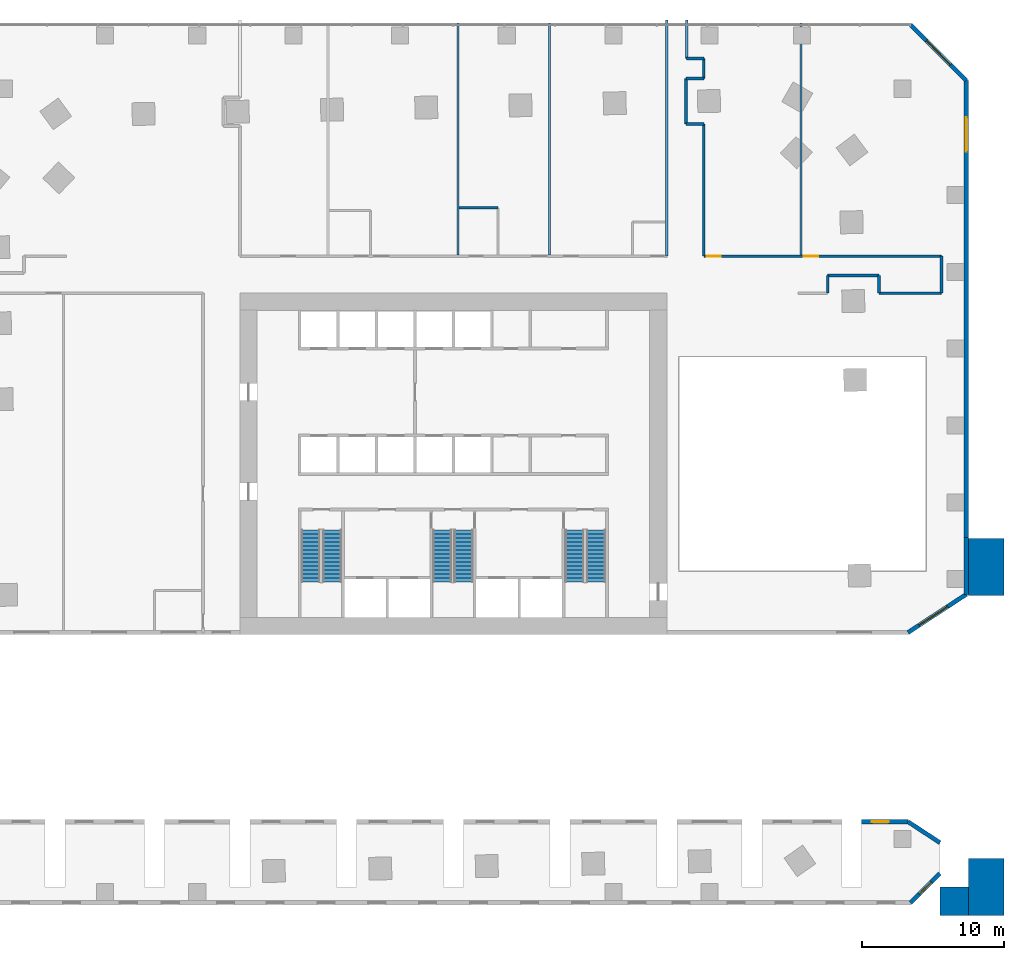
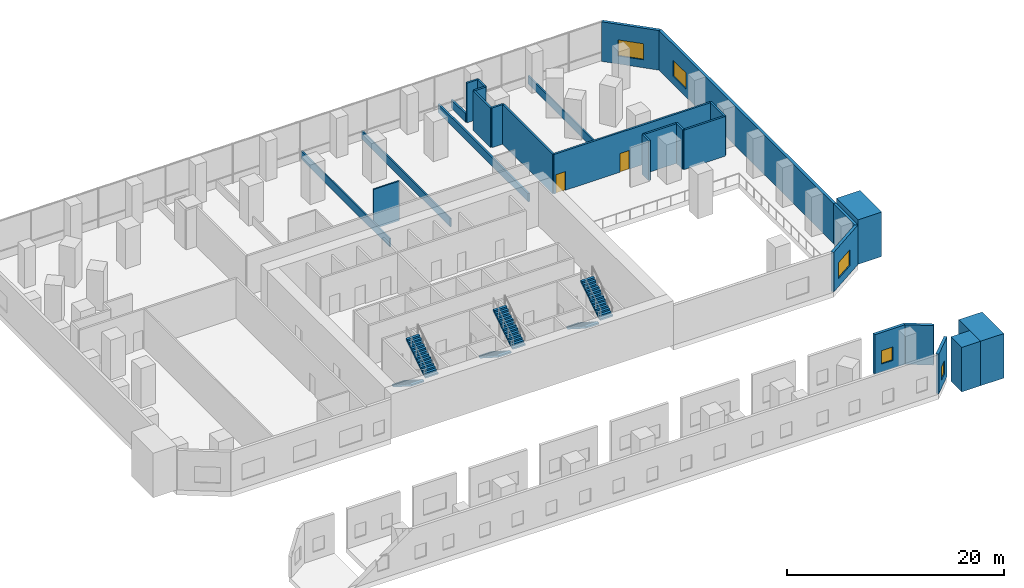
# One storey, part 9 of 11: 28 walls, 6 stair flights, 5 windows, 2 doors, 7 openings, 3 elements without a shape of their own.
"""IFC4 building model written with IfcOpenShell, lengths in metres."""

from ifc_helpers import new_model, si_unit, direction, frame, frame_2d, origin, place, context, subcontext, project, spatial, polyline, rectangle, outline, extrude, material, layer, layer_set, type_object, element, fill, aggregate, save


model = new_model("IFC4")

# Units and contexts
model_context = context("Model", 3, precision=1e-05, world=origin(), true_north=direction((0.0, 1.0)))
body_context = subcontext(model_context, "Body", "Model", "MODEL_VIEW")
ifc_project = project(units=[si_unit("LENGTHUNIT", "METRE"), si_unit("AREAUNIT", "SQUARE_METRE"), si_unit("VOLUMEUNIT", "CUBIC_METRE"), si_unit("PLANEANGLEUNIT", "RADIAN"), si_unit("MASSUNIT", "GRAM", prefix="KILO")], contexts=[model_context])

# Site, building, storey
site_placement = place(None, origin())
site = spatial("IfcSite", under=ifc_project, at=site_placement, CompositionType="ELEMENT")
building_placement = place(site_placement, origin())
building = spatial("IfcBuilding", under=site, at=building_placement, Name="Mangrove Gate Tower", CompositionType="ELEMENT")
storey_placement = place(building_placement, frame((0.0, 0.0, 6.0)))
storey = spatial("IfcBuildingStorey", under=building, at=storey_placement, Name="L01", CompositionType="ELEMENT", Elevation=6.0)

# Walls
ifc_material_1 = material(Name="Gypsum board on steel stud, EI 60", Category="steel")
ifc_layer_1 = layer(ifc_material_1, 0.199951171875)
ifc_layer_set_1 = layer_set([ifc_layer_1], Name="Corridor wall EI 60")
wall_type_1 = type_object("IfcWallType", Name="Corridor wall EI 60", PredefinedType="PARTITIONING", material=ifc_layer_set_1)
wall_1_placement = place(storey_placement, frame((26.31005859375, 12.0, 0.0), z_axis=(0.0, 0.0, 1.0), x_axis=(0.0, 1.0, 0.0)))
element("IfcWall", 1, at=wall_1_placement, inside=storey, type_object=wall_type_1, Name="WALL-L01-008", PredefinedType="PARTITIONING", context=body_context, shape_type="SweptSolid", body=[
    extrude(rectangle(XDim=1.243896484375, YDim=0.199951171875, at=frame_2d((0.6220703125, 0.0))), origin(), (0.0, 0.0, 1.0), 4.449951171875),
])
wall_2_placement = place(storey_placement, frame((29.909912109375, 12.0, 0.0), z_axis=(0.0, 0.0, 1.0), x_axis=(1.0, 0.0, 0.0)))
element("IfcWall", 2, at=wall_2_placement, inside=storey, type_object=wall_type_1, Name="WALL-L01-009", PredefinedType="PARTITIONING", context=body_context, shape_type="SweptSolid", body=[
    extrude(rectangle(XDim=4.39013671875, YDim=0.199951171875, at=frame_2d((2.195068359375, 0.0))), origin(), (0.0, 0.0, 1.0), 4.449951171875),
])
wall_3_placement = place(storey_placement, frame((29.909912109375, 12.0, 0.0), z_axis=(0.0, 0.0, 1.0), x_axis=(0.0, 1.0, 0.0)))
element("IfcWall", 3, at=wall_3_placement, inside=storey, type_object=wall_type_1, Name="WALL-L01-010", PredefinedType="PARTITIONING", context=body_context, shape_type="SweptSolid", body=[
    extrude(rectangle(XDim=1.243896484375, YDim=0.199951171875, at=frame_2d((0.6220703125, 0.0))), origin(), (0.0, 0.0, 1.0), 4.449951171875),
])
wall_4_placement = place(storey_placement, frame((34.300048828125, 12.0, 0.0), z_axis=(0.0, 0.0, 1.0), x_axis=(0.0, 1.0, 0.0)))
element("IfcWall", 4, at=wall_4_placement, inside=storey, type_object=wall_type_1, Name="WALL-L01-011", PredefinedType="PARTITIONING", context=body_context, shape_type="SweptSolid", body=[
    extrude(rectangle(XDim=2.60009765625, YDim=0.199951171875, at=frame_2d((1.300048828125, 0.0))), origin(), (0.0, 0.0, 1.0), 4.449951171875),
])
wall_5_placement = place(storey_placement, frame((26.31005859375, 13.239990234375, 0.0), z_axis=(0.0, 0.0, 1.0), x_axis=(1.0, 0.0, 0.0)))
element("IfcWall", 5, at=wall_5_placement, inside=storey, type_object=wall_type_1, Name="WALL-L01-012", PredefinedType="PARTITIONING", context=body_context, shape_type="SweptSolid", body=[
    extrude(rectangle(XDim=3.599853515625, YDim=0.199951171875, at=frame_2d((1.7998046875, 0.0))), origin(), (0.0, 0.0, 1.0), 4.449951171875),
])
wall_6_placement = place(storey_placement, frame((15.0, 14.60009765625, 0.0), z_axis=(0.0, 0.0, 1.0), x_axis=(0.0, 1.0, 0.0)))
element("IfcWall", 6, at=wall_6_placement, inside=storey, type_object=wall_type_1, Name="WALL-L01-024", PredefinedType="PARTITIONING", context=body_context, shape_type="SweptSolid", body=[
    extrude(rectangle(XDim=16.599853515625, YDim=0.199951171875, at=frame_2d((8.2998046875, 0.0))), origin(), (0.0, 0.0, 1.0), 0.93994140625),
])

# Wall, openings, doors
wall_7_placement = place(storey_placement, frame((17.60009765625, 14.60009765625, 0.0), z_axis=(0.0, 0.0, 1.0), x_axis=(1.0, 0.0, 0.0)))
wall_7 = element("IfcWall", 7, at=wall_7_placement, inside=storey, type_object=wall_type_1, Name="WALL-L01-025", PredefinedType="PARTITIONING", context=body_context, shape_type="SweptSolid", body=[
    extrude(rectangle(XDim=16.699951171875, YDim=0.199951171875, at=frame_2d((8.35009765625, 0.0))), origin(), (0.0, 0.0, 1.0), 4.449951171875),
])
opening_1_placement = place(wall_7_placement, frame((7.030029296875, 0.0, 0.0)))
opening_1 = element("IfcOpeningElement", 8, at=opening_1_placement, cuts=wall_7, Name="Opening AD", PredefinedType="OPENING", context=body_context, shape_type="SweptSolid", body=[
    extrude(rectangle(XDim=1.0, YDim=2.10009765625, at=frame_2d((0.5, 1.050048828125))), frame((0.0, 0.10986328125, 0.0), z_axis=(0.0, -1.0, 0.0), x_axis=(1.0, 0.0, 0.0)), (0.0, 0.0, 1.0), 0.219970703125),
])
opening_2_placement = place(wall_7_placement, frame((0.199951171875, 0.0, 0.0)))
opening_2 = element("IfcOpeningElement", 9, at=opening_2_placement, cuts=wall_7, Name="Opening AD", PredefinedType="OPENING", context=body_context, shape_type="SweptSolid", body=[
    extrude(rectangle(XDim=1.0, YDim=2.10009765625, at=frame_2d((0.5, 1.050048828125))), frame((0.0, 0.10986328125, 0.0), z_axis=(0.0, -1.0, 0.0), x_axis=(1.0, 0.0, 0.0)), (0.0, 0.0, 1.0), 0.219970703125),
])
ifc_material_2 = material(Name="Timber door leaf", Category="wood")
door_type = type_object("IfcDoorType", Name="Amenity door 1000", OperationType="SINGLE_SWING_LEFT", PredefinedType="DOOR", material=ifc_material_2)
door_1_placement = place(opening_1_placement, origin())
door_1 = element("IfcDoor", 10, at=door_1_placement, inside=storey, type_object=door_type, Name="DOOR-L01-POD-03", OperationType="SINGLE_SWING_LEFT", OverallHeight=2.10009765625, OverallWidth=1.0, PredefinedType="DOOR", context=body_context, shape_type="SweptSolid", body=[
    extrude(rectangle(XDim=1.0, YDim=2.10009765625, at=frame_2d((0.5, 1.050048828125))), frame((0.0, 0.02490234375, 0.0), z_axis=(0.0, -1.0, 0.0), x_axis=(1.0, 0.0, 0.0)), (0.0, 0.0, 1.0), 0.050048828125),
])
fill(opening_1, door_1)
door_2_placement = place(opening_2_placement, origin())
door_2 = element("IfcDoor", 11, at=door_2_placement, inside=storey, type_object=door_type, Name="DOOR-L01-POD-08", OperationType="SINGLE_SWING_RIGHT", OverallHeight=2.10009765625, OverallWidth=1.0, PredefinedType="DOOR", context=body_context, shape_type="SweptSolid", body=[
    extrude(rectangle(XDim=1.0, YDim=2.10009765625, at=frame_2d((0.5, 1.050048828125))), frame((0.0, 0.02490234375, 0.0), z_axis=(0.0, -1.0, 0.0), x_axis=(1.0, 0.0, 0.0)), (0.0, 0.0, 1.0), 0.050048828125),
])
fill(opening_2, door_2)

# Walls
wall_8_placement = place(storey_placement, frame((17.60009765625, 14.60009765625, 0.0), z_axis=(0.0, 0.0, 1.0), x_axis=(0.0, 1.0, 0.0)))
element("IfcWall", 12, at=wall_8_placement, inside=storey, type_object=wall_type_1, Name="WALL-L01-026", PredefinedType="PARTITIONING", context=body_context, shape_type="SweptSolid", body=[
    extrude(rectangle(XDim=9.30078125, YDim=0.199951171875, at=frame_2d((4.650390625, 0.0))), origin(), (0.0, 0.0, 1.0), 4.449951171875),
])
wall_9_placement = place(storey_placement, frame((16.364013671875, 23.89990234375, 0.0), z_axis=(0.0, 0.0, 1.0), x_axis=(1.0, 0.0, 0.0)))
element("IfcWall", 13, at=wall_9_placement, inside=storey, type_object=wall_type_1, Name="WALL-L01-033", PredefinedType="PARTITIONING", context=body_context, shape_type="SweptSolid", body=[
    extrude(rectangle(XDim=1.236083984375, YDim=0.199951171875, at=frame_2d((0.6181640625, 0.0))), origin(), (0.0, 0.0, 1.0), 4.449951171875),
])
wall_10_placement = place(storey_placement, frame((16.360107421875, 23.90087890625, 0.0), z_axis=(0.0, 0.0, 1.0), x_axis=(0.0, 1.0, 0.0)))
element("IfcWall", 14, at=wall_10_placement, inside=storey, type_object=wall_type_1, Name="WALL-L01-034", PredefinedType="PARTITIONING", context=body_context, shape_type="SweptSolid", body=[
    extrude(rectangle(XDim=3.2001953125, YDim=0.199951171875, at=frame_2d((1.60009765625, 0.0))), origin(), (0.0, 0.0, 1.0), 4.449951171875),
])
wall_11_placement = place(storey_placement, frame((16.364013671875, 27.10009765625, 0.0), z_axis=(0.0, 0.0, 1.0), x_axis=(1.0, 0.0, 0.0)))
element("IfcWall", 15, at=wall_11_placement, inside=storey, type_object=wall_type_1, Name="WALL-L01-037", PredefinedType="PARTITIONING", context=body_context, shape_type="SweptSolid", body=[
    extrude(rectangle(XDim=1.236083984375, YDim=0.199951171875, at=frame_2d((0.6181640625, 0.0))), origin(), (0.0, 0.0, 1.0), 4.449951171875),
])
wall_12_placement = place(storey_placement, frame((17.60009765625, 27.10107421875, 0.0), z_axis=(0.0, 0.0, 1.0), x_axis=(0.0, 1.0, 0.0)))
element("IfcWall", 16, at=wall_12_placement, inside=storey, type_object=wall_type_1, Name="WALL-L01-038", PredefinedType="PARTITIONING", context=body_context, shape_type="SweptSolid", body=[
    extrude(rectangle(XDim=1.39892578125, YDim=0.199951171875, at=frame_2d((0.699462890625, 0.0))), origin(), (0.0, 0.0, 1.0), 4.449951171875),
])
wall_13_placement = place(storey_placement, frame((16.39990234375, 28.5, 0.0), z_axis=(0.0, 0.0, 1.0), x_axis=(1.0, 0.0, 0.0)))
element("IfcWall", 17, at=wall_13_placement, inside=storey, type_object=wall_type_1, Name="WALL-L01-039", PredefinedType="PARTITIONING", context=body_context, shape_type="SweptSolid", body=[
    extrude(rectangle(XDim=1.2001953125, YDim=0.199951171875, at=frame_2d((0.60009765625, 0.0))), origin(), (0.0, 0.0, 1.0), 4.449951171875),
])
wall_14_placement = place(storey_placement, frame((16.39990234375, 28.5, 0.0), z_axis=(0.0, 0.0, 1.0), x_axis=(0.0, 1.0, 0.0)))
element("IfcWall", 18, at=wall_14_placement, inside=storey, type_object=wall_type_1, Name="WALL-L01-040", PredefinedType="PARTITIONING", context=body_context, shape_type="SweptSolid", body=[
    extrude(rectangle(XDim=2.699951171875, YDim=0.199951171875, at=frame_2d((1.35009765625, 0.0))), origin(), (0.0, 0.0, 1.0), 0.93994140625),
])
ifc_material_3 = material(Name="Limestone", Category="masonry")
ifc_layer_2 = layer(ifc_material_3, 0.0400390625, Name="Limestone cladding")
ifc_material_4 = material(Name="Ventilated air gap")
ifc_layer_3 = layer(ifc_material_4, 0.0400390625, Name="Ventilated cavity")
ifc_material_5 = material(Name="Mineral wool insulation")
ifc_layer_4 = layer(ifc_material_5, 0.06005859375, Name="Insulation")
ifc_material_6 = material(Name="Breather membrane")
ifc_layer_5 = layer(ifc_material_6, 0.001953125, Name="Breather membrane")
ifc_material_7 = material(Name="Concrete C20/25 blockwork", Category="masonry")
ifc_layer_6 = layer(ifc_material_7, 0.14990234375, Name="Blockwork backing wall")
ifc_material_8 = material(Name="Gypsum plaster")
ifc_layer_7 = layer(ifc_material_8, 0.008056640625, Name="Internal plaster")
ifc_layer_set_2 = layer_set([ifc_layer_2, ifc_layer_3, ifc_layer_4, ifc_layer_5, ifc_layer_6, ifc_layer_7], Name="External wall 300 limestone cladding")
wall_type_2 = type_object("IfcWallType", Name="External wall 300 limestone cladding", PredefinedType="SOLIDWALL", material=ifc_layer_set_2)
wall_15_placement = place(storey_placement, frame((34.199951171875, -26.6201171875, 0.0), z_axis=(0.0, 0.0, 1.0), x_axis=(-0.83655747026, 0.547879182806, 0.0)))
element("IfcWall", 19, at=wall_15_placement, inside=storey, type_object=wall_type_2, Name="WALL-L01-N0", PredefinedType="SOLIDWALL", context=body_context, shape_type="SweptSolid", body=[
    extrude(rectangle(XDim=2.683349609375, YDim=0.300048828125, at=frame_2d((1.341796875, 0.0))), origin(), (0.0, 0.0, 1.0), 4.449951171875),
])

# Wall, opening, window
wall_16_placement = place(storey_placement, frame((31.955078125, -25.14990234375, 0.0), z_axis=(0.0, 0.0, 1.0), x_axis=(-1.0, 0.0, 0.0)))
wall_16 = element("IfcWall", 20, at=wall_16_placement, inside=storey, type_object=wall_type_2, Name="WALL-L01-N1", PredefinedType="SOLIDWALL", context=body_context, shape_type="SweptSolid", body=[
    extrude(rectangle(XDim=3.255126953125, YDim=0.300048828125, at=frame_2d((1.62744140625, 0.0))), origin(), (0.0, 0.0, 1.0), 4.449951171875),
])
opening_3_placement = place(wall_16_placement, frame((1.35009765625, 0.0, 0.89990234375)))
opening_3 = element("IfcOpeningElement", 21, at=opening_3_placement, cuts=wall_16, Name="Opening W1", PredefinedType="OPENING", context=body_context, shape_type="SweptSolid", body=[
    extrude(rectangle(XDim=1.199951171875, YDim=1.5, at=frame_2d((0.60009765625, 0.75))), frame((0.0, 0.159912109375, 0.0), z_axis=(0.0, -1.0, 0.0), x_axis=(1.0, 0.0, 0.0)), (0.0, 0.0, 1.0), 0.320068359375),
])
ifc_material_9 = material(Name="Aluminium frame with double-glazed low-e glass", Category="aluminium")
window_type_1 = type_object("IfcWindowType", Name="Side lite 1200x1500", PartitioningType="SINGLE_PANEL", PredefinedType="WINDOW", material=ifc_material_9)
window_1_placement = place(opening_3_placement, origin())
window_1 = element("IfcWindow", 22, at=window_1_placement, inside=storey, type_object=window_type_1, Name="WIN-L01-N1-1", OverallHeight=1.5, OverallWidth=1.199951171875, PartitioningType="SINGLE_PANEL", PredefinedType="WINDOW", context=body_context, shape_type="SweptSolid", body=[
    extrude(rectangle(XDim=1.199951171875, YDim=1.5, at=frame_2d((0.60009765625, 0.75))), frame((0.0, 0.030029296875, 0.0), z_axis=(0.0, -1.0, 0.0), x_axis=(1.0, 0.0, 0.0)), (0.0, 0.0, 1.0), 0.06005859375),
])
fill(opening_3, window_1)

wall_17_placement = place(storey_placement, frame((32.137939453125, -30.85009765625, 0.0), z_axis=(0.0, 0.0, 1.0), x_axis=(0.707106781187, 0.707106781187, 0.0)))
wall_17 = element("IfcWall", 23, at=wall_17_placement, inside=storey, type_object=wall_type_2, Name="WALL-L01-E5", PredefinedType="SOLIDWALL", context=body_context, shape_type="SweptSolid", body=[
    extrude(rectangle(XDim=2.916015625, YDim=0.300048828125, at=frame_2d((1.4580078125, 0.0))), origin(), (0.0, 0.0, 1.0), 4.449951171875),
])
opening_4_placement = place(wall_17_placement, frame((0.87109375, 0.0, 0.89990234375)))
opening_4 = element("IfcOpeningElement", 24, at=opening_4_placement, cuts=wall_17, Name="Opening W1", PredefinedType="OPENING", context=body_context, shape_type="SweptSolid", body=[
    extrude(rectangle(XDim=1.199951171875, YDim=1.5, at=frame_2d((0.60009765625, 0.75))), frame((0.0, 0.159912109375, 0.0), z_axis=(0.0, -1.0, 0.0), x_axis=(1.0, 0.0, 0.0)), (0.0, 0.0, 1.0), 0.320068359375),
])
window_2_placement = place(opening_4_placement, origin())
window_2 = element("IfcWindow", 25, at=window_2_placement, inside=storey, type_object=window_type_1, Name="WIN-L01-E5-1", OverallHeight=1.5, OverallWidth=1.199951171875, PartitioningType="SINGLE_PANEL", PredefinedType="WINDOW", context=body_context, shape_type="SweptSolid", body=[
    extrude(rectangle(XDim=1.199951171875, YDim=1.5, at=frame_2d((0.60009765625, 0.75))), frame((0.0, 0.030029296875, 0.0), z_axis=(0.0, -1.0, 0.0), x_axis=(1.0, 0.0, 0.0)), (0.0, 0.0, 1.0), 0.06005859375),
])
fill(opening_4, window_2)

wall_18_placement = place(storey_placement, frame((31.955078125, -11.85009765625, 0.0), z_axis=(0.0, 0.0, 1.0), x_axis=(0.836625876117, 0.54777471958, 0.0)))
wall_18 = element("IfcWall", 26, at=wall_18_placement, inside=storey, type_object=wall_type_2, Name="WALL-L01-S9", PredefinedType="SOLIDWALL", context=body_context, shape_type="SweptSolid", body=[
    extrude(rectangle(XDim=4.89453125, YDim=0.300048828125, at=frame_2d((2.447265625, 0.0))), origin(), (0.0, 0.0, 1.0), 4.449951171875),
])
opening_5_placement = place(wall_18_placement, frame((0.93310546875, 0.0, 0.89990234375)))
opening_5 = element("IfcOpeningElement", 27, at=opening_5_placement, cuts=wall_18, Name="Opening W3", PredefinedType="OPENING", context=body_context, shape_type="SweptSolid", body=[
    extrude(rectangle(XDim=2.39990234375, YDim=1.800048828125, at=frame_2d((1.199951171875, 0.89990234375))), frame((0.0, 0.159912109375, 0.0), z_axis=(0.0, -1.0, 0.0), x_axis=(1.0, 0.0, 0.0)), (0.0, 0.0, 1.0), 0.320068359375),
])
ifc_material_10 = material(Name="Aluminium frame with double-glazed low-e glass", Category="aluminium")
window_type_2 = type_object("IfcWindowType", Name="Podium window 2400x1800", PartitioningType="DOUBLE_PANEL_VERTICAL", PredefinedType="WINDOW", material=ifc_material_10)
window_3_placement = place(opening_5_placement, origin())
window_3 = element("IfcWindow", 28, at=window_3_placement, inside=storey, type_object=window_type_2, Name="WIN-L01-S9-1", OverallHeight=1.800048828125, OverallWidth=2.39990234375, PartitioningType="DOUBLE_PANEL_VERTICAL", PredefinedType="WINDOW", context=body_context, shape_type="SweptSolid", body=[
    extrude(rectangle(XDim=2.39990234375, YDim=1.800048828125, at=frame_2d((1.199951171875, 0.89990234375))), frame((0.0, 0.030029296875, 0.0), z_axis=(0.0, -1.0, 0.0), x_axis=(1.0, 0.0, 0.0)), (0.0, 0.0, 1.0), 0.06005859375),
])
fill(opening_5, window_3)

# Wall
wall_19_placement = place(storey_placement, frame((36.050048828125, -9.1689453125, 0.0), z_axis=(0.0, 0.0, 1.0), x_axis=(0.0, 1.0, 0.0)))
element("IfcWall", 29, at=wall_19_placement, inside=storey, type_object=wall_type_2, Name="WALL-L01-E3100", PredefinedType="SOLIDWALL", context=body_context, shape_type="SweptSolid", body=[
    extrude(rectangle(XDim=3.98388671875, YDim=0.300048828125, at=frame_2d((1.991943359375, 0.0))), origin(), (0.0, 0.0, 1.0), 4.449951171875),
])

# Wall, opening, window
wall_20_placement = place(storey_placement, frame((36.050048828125, -5.18505859375, 0.0), z_axis=(0.0, 0.0, 1.0), x_axis=(0.0, 1.0, 0.0)))
wall_20 = element("IfcWall", 30, at=wall_20_placement, inside=storey, type_object=wall_type_2, Name="WALL-L01-E10", PredefinedType="SOLIDWALL", context=body_context, shape_type="SweptSolid", body=[
    extrude(rectangle(XDim=32.123046875, YDim=0.300048828125, at=frame_2d((16.0615234375, 0.0))), origin(), (0.0, 0.0, 1.0), 4.449951171875),
])
opening_6_placement = place(wall_20_placement, frame((27.135009765625, 0.0, 0.89990234375)))
opening_6 = element("IfcOpeningElement", 31, at=opening_6_placement, cuts=wall_20, Name="Opening W3", PredefinedType="OPENING", context=body_context, shape_type="SweptSolid", body=[
    extrude(rectangle(XDim=2.39990234375, YDim=1.800048828125, at=frame_2d((1.199951171875, 0.89990234375))), frame((0.0, 0.159912109375, 0.0), z_axis=(0.0, -1.0, 0.0), x_axis=(1.0, 0.0, 0.0)), (0.0, 0.0, 1.0), 0.320068359375),
])
window_4_placement = place(opening_6_placement, origin())
window_4 = element("IfcWindow", 32, at=window_4_placement, inside=storey, type_object=window_type_2, Name="WIN-L01-E10-1", OverallHeight=1.800048828125, OverallWidth=2.39990234375, PartitioningType="DOUBLE_PANEL_VERTICAL", PredefinedType="WINDOW", context=body_context, shape_type="SweptSolid", body=[
    extrude(rectangle(XDim=2.39990234375, YDim=1.800048828125, at=frame_2d((1.199951171875, 0.89990234375))), frame((0.0, 0.030029296875, 0.0), z_axis=(0.0, -1.0, 0.0), x_axis=(1.0, 0.0, 0.0)), (0.0, 0.0, 1.0), 0.06005859375),
])
fill(opening_6, window_4)

wall_21_placement = place(storey_placement, frame((36.050048828125, 26.93798828125, 0.0), z_axis=(0.0, 0.0, 1.0), x_axis=(-0.707106781187, 0.707106781187, 0.0)))
wall_21 = element("IfcWall", 33, at=wall_21_placement, inside=storey, type_object=wall_type_2, Name="WALL-L01-E11", PredefinedType="SOLIDWALL", context=body_context, shape_type="SweptSolid", body=[
    extrude(rectangle(XDim=5.532470703125, YDim=0.300048828125, at=frame_2d((2.76611328125, 0.0))), origin(), (0.0, 0.0, 1.0), 4.449951171875),
])
opening_7_placement = place(wall_21_placement, frame((1.56591796875, 0.0, 0.89990234375)))
opening_7 = element("IfcOpeningElement", 34, at=opening_7_placement, cuts=wall_21, Name="Opening W3", PredefinedType="OPENING", context=body_context, shape_type="SweptSolid", body=[
    extrude(rectangle(XDim=2.39990234375, YDim=1.800048828125, at=frame_2d((1.199951171875, 0.89990234375))), frame((0.0, 0.159912109375, 0.0), z_axis=(0.0, -1.0, 0.0), x_axis=(1.0, 0.0, 0.0)), (0.0, 0.0, 1.0), 0.320068359375),
])
window_5_placement = place(opening_7_placement, origin())
window_5 = element("IfcWindow", 35, at=window_5_placement, inside=storey, type_object=window_type_2, Name="WIN-L01-E11-1", OverallHeight=1.800048828125, OverallWidth=2.39990234375, PartitioningType="DOUBLE_PANEL_VERTICAL", PredefinedType="WINDOW", context=body_context, shape_type="SweptSolid", body=[
    extrude(rectangle(XDim=2.39990234375, YDim=1.800048828125, at=frame_2d((1.199951171875, 0.89990234375))), frame((0.0, 0.030029296875, 0.0), z_axis=(0.0, -1.0, 0.0), x_axis=(1.0, 0.0, 0.0)), (0.0, 0.0, 1.0), 0.06005859375),
])
fill(opening_7, window_5)

# Walls
ifc_material_11 = material(Name="Gypsum board on steel stud, EI 60", Category="steel")
ifc_layer_8 = layer(ifc_material_11, 0.14990234375)
ifc_layer_set_3 = layer_set([ifc_layer_8], Name="Party wall 150 EI 60")
wall_type_3 = type_object("IfcWallType", Name="Party wall 150 EI 60", PredefinedType="PARTITIONING", material=ifc_layer_set_3)
for number, where, z_axis, x_axis, name in (
    (36, (0.330078125, 14.699951171875, 0.0), (0.0, 0.0, 1.0), (0.0, 1.0, 0.0), "WALL-L01-020"),
    (37, (6.760009765625, 14.699951171875, 0.0), (0.0, 0.0, 1.0), (0.0, 1.0, 0.0), "WALL-L01-022"),
    (38, (24.429931640625, 14.699951171875, 0.0), (0.0, 0.0, 1.0), (0.0, 1.0, 0.0), "WALL-L01-027"),
):
    element("IfcWall", number, at=place(storey_placement, frame(where, z_axis=z_axis, x_axis=x_axis)), inside=storey, type_object=wall_type_3, Name=name, PredefinedType="PARTITIONING", context=body_context, shape_type="SweptSolid", body=[
        extrude(rectangle(XDim=16.300048828125, YDim=0.14990234375, at=frame_2d((8.14990234375, 0.0))), origin(), (0.0, 0.0, 1.0), 0.93994140625),
    ])
wall_22_placement = place(storey_placement, frame((0.405029296875, 18.0, 0.0), z_axis=(0.0, 0.0, 1.0), x_axis=(1.0, 0.0, 0.0)))
element("IfcWall", 39, at=wall_22_placement, inside=storey, type_object=wall_type_3, Name="WALL-L01-030", PredefinedType="PARTITIONING", context=body_context, shape_type="SweptSolid", body=[
    extrude(rectangle(XDim=2.724853515625, YDim=0.14990234375, at=frame_2d((1.3623046875, 0.0))), origin(), (0.0, 0.0, 1.0), 4.449951171875),
])
ifc_layer_9 = layer(ifc_material_3, 0.06005859375, Name="Limestone cladding")
ifc_material_12 = material(Name="Concrete C40/50", Category="concrete")
ifc_layer_10 = layer(ifc_material_12, 2.340087890625, Name="Gate core wall")
ifc_layer_11 = layer(ifc_material_3, 0.10009765625, Name="Limestone reveal lining")
ifc_layer_set_4 = layer_set([ifc_layer_9, ifc_layer_10, ifc_layer_11], Name="Stone gate wall 2500")
wall_type_4 = type_object("IfcWallType", Name="Stone gate wall 2500", PredefinedType="STANDARD", material=ifc_layer_set_4)
for number, where, z_axis, x_axis, name in (
    (40, (37.449951171875, -31.75, 0.0), (0.0, 0.0, 1.0), (0.0, 1.0, 0.0), "ARCH PIER E 1"),
    (41, (37.449951171875, -9.25, 0.0), (0.0, 0.0, 1.0), (0.0, 1.0, 0.0), "ARCH PIER E 2"),
):
    element("IfcWall", number, at=place(storey_placement, frame(where, z_axis=z_axis, x_axis=x_axis)), inside=storey, type_object=wall_type_4, Name=name, PredefinedType="STANDARD", context=body_context, shape_type="SweptSolid", body=[
        extrude(rectangle(XDim=4.0, YDim=2.5, at=frame_2d((2.0, 0.0))), origin(), (0.0, 0.0, 1.0), 5.0),
    ])
wall_23_placement = place(storey_placement, frame((34.199951171875, -30.75, 0.0), z_axis=(0.0, 0.0, 1.0), x_axis=(1.0, 0.0, 0.0)))
element("IfcWall", 42, at=wall_23_placement, inside=storey, type_object=wall_type_4, Name="ARCH RETURN E", PredefinedType="STANDARD", context=body_context, shape_type="SweptSolid", body=[
    extrude(rectangle(XDim=2.0, YDim=2.0, at=frame_2d((1.0, 0.0))), origin(), (0.0, 0.0, 1.0), 5.0),
])

# Stair, stair flights
ifc_material_13 = material(Name="Concrete C40/50", Category="concrete")
stair_type = type_object("IfcStairType", Name="Core stair 1350", PredefinedType="HALF_TURN_STAIR", material=ifc_material_13)
stair_1_placement = place(storey_placement, origin())
stair_1 = element("IfcStair", 43, at=stair_1_placement, inside=storey, type_object=stair_type, Name="L01 Stair 1", PredefinedType="HALF_TURN_STAIR")
ifc_material_14 = material(Name="Concrete C40/50", Category="concrete")
stair_flight_type = type_object("IfcStairFlightType", Name="Core stair flight 1350", PredefinedType="STRAIGHT", material=ifc_material_14)
stair_flight_1_placement = place(storey_placement, frame((-10.02490234375, -4.64990234375, 0.0), z_axis=(0.0, 0.0, 1.0), x_axis=(0.0, -1.0, 0.0)))
stair_flight_1 = element("IfcStairFlight", 44, at=stair_flight_1_placement, type_object=stair_flight_type, Name="ST1 flight 1", NumberOfRisers=14, NumberOfTreads=13, PredefinedType="STRAIGHT", RiserHeight=0.178571429, TreadLength=0.28, context=body_context, shape_type="SweptSolid", body=[
    extrude(outline(polyline([(0.0, 0.0), (0.0, 0.178466796875), (0.280029296875, 0.178466796875), (0.280029296875, 0.357177734375), (0.56005859375, 0.357177734375), (0.56005859375, 0.53564453125), (0.840087890625, 0.53564453125), (0.840087890625, 0.71435546875), (1.1201171875, 0.71435546875), (1.1201171875, 0.892822265625), (1.39990234375, 0.892822265625), (1.39990234375, 1.071533203125), (1.679931640625, 1.071533203125), (1.679931640625, 1.25), (1.9599609375, 1.25), (1.9599609375, 1.428466796875), (2.239990234375, 1.428466796875), (2.239990234375, 1.607177734375), (2.52001953125, 1.607177734375), (2.52001953125, 1.78564453125), (2.800048828125, 1.78564453125), (2.800048828125, 1.96435546875), (3.080078125, 1.96435546875), (3.080078125, 2.142822265625), (3.360107421875, 2.142822265625), (3.360107421875, 2.321533203125), (3.639892578125, 2.321533203125), (3.639892578125, 2.5), (3.639892578125, 2.1435546875), (0.27880859375, 0.0), (0.0, 0.0)])), frame((0.0, 0.675048828125, 0.0), z_axis=(0.0, -1.0, 0.0), x_axis=(1.0, 0.0, 0.0)), (0.0, 0.0, 1.0), 1.35009765625),
])
stair_flight_2_placement = place(storey_placement, frame((-8.52490234375, -8.2900390625, 2.5), z_axis=(0.0, 0.0, 1.0), x_axis=(0.0, 1.0, 0.0)))
stair_flight_2 = element("IfcStairFlight", 45, at=stair_flight_2_placement, type_object=stair_flight_type, Name="ST1 flight 2", NumberOfRisers=14, NumberOfTreads=13, PredefinedType="STRAIGHT", RiserHeight=0.178571429, TreadLength=0.28, context=body_context, shape_type="SweptSolid", body=[
    extrude(outline(polyline([(0.0, 0.0), (0.0, 0.178466796875), (0.280029296875, 0.178466796875), (0.280029296875, 0.357177734375), (0.56005859375, 0.357177734375), (0.56005859375, 0.53564453125), (0.840087890625, 0.53564453125), (0.840087890625, 0.71435546875), (1.1201171875, 0.71435546875), (1.1201171875, 0.892822265625), (1.39990234375, 0.892822265625), (1.39990234375, 1.071533203125), (1.679931640625, 1.071533203125), (1.679931640625, 1.25), (1.9599609375, 1.25), (1.9599609375, 1.428466796875), (2.239990234375, 1.428466796875), (2.239990234375, 1.607177734375), (2.52001953125, 1.607177734375), (2.52001953125, 1.78564453125), (2.800048828125, 1.78564453125), (2.800048828125, 1.96435546875), (3.080078125, 1.96435546875), (3.080078125, 2.142822265625), (3.360107421875, 2.142822265625), (3.360107421875, 2.321533203125), (3.639892578125, 2.321533203125), (3.639892578125, 2.5), (3.639892578125, 2.1435546875), (0.27880859375, 0.0), (0.0, 0.0)])), frame((0.0, 0.675048828125, 0.0), z_axis=(0.0, -1.0, 0.0), x_axis=(1.0, 0.0, 0.0)), (0.0, 0.0, 1.0), 1.35009765625),
])
aggregate(stair_1, [stair_flight_1, stair_flight_2])

stair_2_placement = place(storey_placement, origin())
stair_2 = element("IfcStair", 46, at=stair_2_placement, inside=storey, type_object=stair_type, Name="L01 Stair 2", PredefinedType="HALF_TURN_STAIR")
stair_flight_3_placement = place(storey_placement, frame((-0.77490234375, -4.64990234375, 0.0), z_axis=(0.0, 0.0, 1.0), x_axis=(0.0, -1.0, 0.0)))
stair_flight_3 = element("IfcStairFlight", 47, at=stair_flight_3_placement, type_object=stair_flight_type, Name="ST2 flight 1", NumberOfRisers=14, NumberOfTreads=13, PredefinedType="STRAIGHT", RiserHeight=0.178571429, TreadLength=0.28, context=body_context, shape_type="SweptSolid", body=[
    extrude(outline(polyline([(0.0, 0.0), (0.0, 0.178466796875), (0.280029296875, 0.178466796875), (0.280029296875, 0.357177734375), (0.56005859375, 0.357177734375), (0.56005859375, 0.53564453125), (0.840087890625, 0.53564453125), (0.840087890625, 0.71435546875), (1.1201171875, 0.71435546875), (1.1201171875, 0.892822265625), (1.39990234375, 0.892822265625), (1.39990234375, 1.071533203125), (1.679931640625, 1.071533203125), (1.679931640625, 1.25), (1.9599609375, 1.25), (1.9599609375, 1.428466796875), (2.239990234375, 1.428466796875), (2.239990234375, 1.607177734375), (2.52001953125, 1.607177734375), (2.52001953125, 1.78564453125), (2.800048828125, 1.78564453125), (2.800048828125, 1.96435546875), (3.080078125, 1.96435546875), (3.080078125, 2.142822265625), (3.360107421875, 2.142822265625), (3.360107421875, 2.321533203125), (3.639892578125, 2.321533203125), (3.639892578125, 2.5), (3.639892578125, 2.1435546875), (0.27880859375, 0.0), (0.0, 0.0)])), frame((0.0, 0.675048828125, 0.0), z_axis=(0.0, -1.0, 0.0), x_axis=(1.0, 0.0, 0.0)), (0.0, 0.0, 1.0), 1.35009765625),
])
stair_flight_4_placement = place(storey_placement, frame((0.72509765625, -8.2900390625, 2.5), z_axis=(0.0, 0.0, 1.0), x_axis=(0.0, 1.0, 0.0)))
stair_flight_4 = element("IfcStairFlight", 48, at=stair_flight_4_placement, type_object=stair_flight_type, Name="ST2 flight 2", NumberOfRisers=14, NumberOfTreads=13, PredefinedType="STRAIGHT", RiserHeight=0.178571429, TreadLength=0.28, context=body_context, shape_type="SweptSolid", body=[
    extrude(outline(polyline([(0.0, 0.0), (0.0, 0.178466796875), (0.280029296875, 0.178466796875), (0.280029296875, 0.357177734375), (0.56005859375, 0.357177734375), (0.56005859375, 0.53564453125), (0.840087890625, 0.53564453125), (0.840087890625, 0.71435546875), (1.1201171875, 0.71435546875), (1.1201171875, 0.892822265625), (1.39990234375, 0.892822265625), (1.39990234375, 1.071533203125), (1.679931640625, 1.071533203125), (1.679931640625, 1.25), (1.9599609375, 1.25), (1.9599609375, 1.428466796875), (2.239990234375, 1.428466796875), (2.239990234375, 1.607177734375), (2.52001953125, 1.607177734375), (2.52001953125, 1.78564453125), (2.800048828125, 1.78564453125), (2.800048828125, 1.96435546875), (3.080078125, 1.96435546875), (3.080078125, 2.142822265625), (3.360107421875, 2.142822265625), (3.360107421875, 2.321533203125), (3.639892578125, 2.321533203125), (3.639892578125, 2.5), (3.639892578125, 2.1435546875), (0.27880859375, 0.0), (0.0, 0.0)])), frame((0.0, 0.675048828125, 0.0), z_axis=(0.0, -1.0, 0.0), x_axis=(1.0, 0.0, 0.0)), (0.0, 0.0, 1.0), 1.35009765625),
])
aggregate(stair_2, [stair_flight_3, stair_flight_4])

stair_3_placement = place(storey_placement, origin())
stair_3 = element("IfcStair", 49, at=stair_3_placement, inside=storey, type_object=stair_type, Name="L01 Stair 3", PredefinedType="HALF_TURN_STAIR")
stair_flight_5_placement = place(storey_placement, frame((8.52490234375, -4.64990234375, 0.0), z_axis=(0.0, 0.0, 1.0), x_axis=(0.0, -1.0, 0.0)))
stair_flight_5 = element("IfcStairFlight", 50, at=stair_flight_5_placement, type_object=stair_flight_type, Name="ST3 flight 1", NumberOfRisers=14, NumberOfTreads=13, PredefinedType="STRAIGHT", RiserHeight=0.178571429, TreadLength=0.28, context=body_context, shape_type="SweptSolid", body=[
    extrude(outline(polyline([(0.0, 0.0), (0.0, 0.178466796875), (0.280029296875, 0.178466796875), (0.280029296875, 0.357177734375), (0.56005859375, 0.357177734375), (0.56005859375, 0.53564453125), (0.840087890625, 0.53564453125), (0.840087890625, 0.71435546875), (1.1201171875, 0.71435546875), (1.1201171875, 0.892822265625), (1.39990234375, 0.892822265625), (1.39990234375, 1.071533203125), (1.679931640625, 1.071533203125), (1.679931640625, 1.25), (1.9599609375, 1.25), (1.9599609375, 1.428466796875), (2.239990234375, 1.428466796875), (2.239990234375, 1.607177734375), (2.52001953125, 1.607177734375), (2.52001953125, 1.78564453125), (2.800048828125, 1.78564453125), (2.800048828125, 1.96435546875), (3.080078125, 1.96435546875), (3.080078125, 2.142822265625), (3.360107421875, 2.142822265625), (3.360107421875, 2.321533203125), (3.639892578125, 2.321533203125), (3.639892578125, 2.5), (3.639892578125, 2.1435546875), (0.27880859375, 0.0), (0.0, 0.0)])), frame((0.0, 0.675048828125, 0.0), z_axis=(0.0, -1.0, 0.0), x_axis=(1.0, 0.0, 0.0)), (0.0, 0.0, 1.0), 1.35009765625),
])
stair_flight_6_placement = place(storey_placement, frame((10.02490234375, -8.2900390625, 2.5), z_axis=(0.0, 0.0, 1.0), x_axis=(0.0, 1.0, 0.0)))
stair_flight_6 = element("IfcStairFlight", 51, at=stair_flight_6_placement, type_object=stair_flight_type, Name="ST3 flight 2", NumberOfRisers=14, NumberOfTreads=13, PredefinedType="STRAIGHT", RiserHeight=0.178571429, TreadLength=0.28, context=body_context, shape_type="SweptSolid", body=[
    extrude(outline(polyline([(0.0, 0.0), (0.0, 0.178466796875), (0.280029296875, 0.178466796875), (0.280029296875, 0.357177734375), (0.56005859375, 0.357177734375), (0.56005859375, 0.53564453125), (0.840087890625, 0.53564453125), (0.840087890625, 0.71435546875), (1.1201171875, 0.71435546875), (1.1201171875, 0.892822265625), (1.39990234375, 0.892822265625), (1.39990234375, 1.071533203125), (1.679931640625, 1.071533203125), (1.679931640625, 1.25), (1.9599609375, 1.25), (1.9599609375, 1.428466796875), (2.239990234375, 1.428466796875), (2.239990234375, 1.607177734375), (2.52001953125, 1.607177734375), (2.52001953125, 1.78564453125), (2.800048828125, 1.78564453125), (2.800048828125, 1.96435546875), (3.080078125, 1.96435546875), (3.080078125, 2.142822265625), (3.360107421875, 2.142822265625), (3.360107421875, 2.321533203125), (3.639892578125, 2.321533203125), (3.639892578125, 2.5), (3.639892578125, 2.1435546875), (0.27880859375, 0.0), (0.0, 0.0)])), frame((0.0, 0.675048828125, 0.0), z_axis=(0.0, -1.0, 0.0), x_axis=(1.0, 0.0, 0.0)), (0.0, 0.0, 1.0), 1.35009765625),
])
aggregate(stair_3, [stair_flight_5, stair_flight_6])

save(model, "model.ifc")
